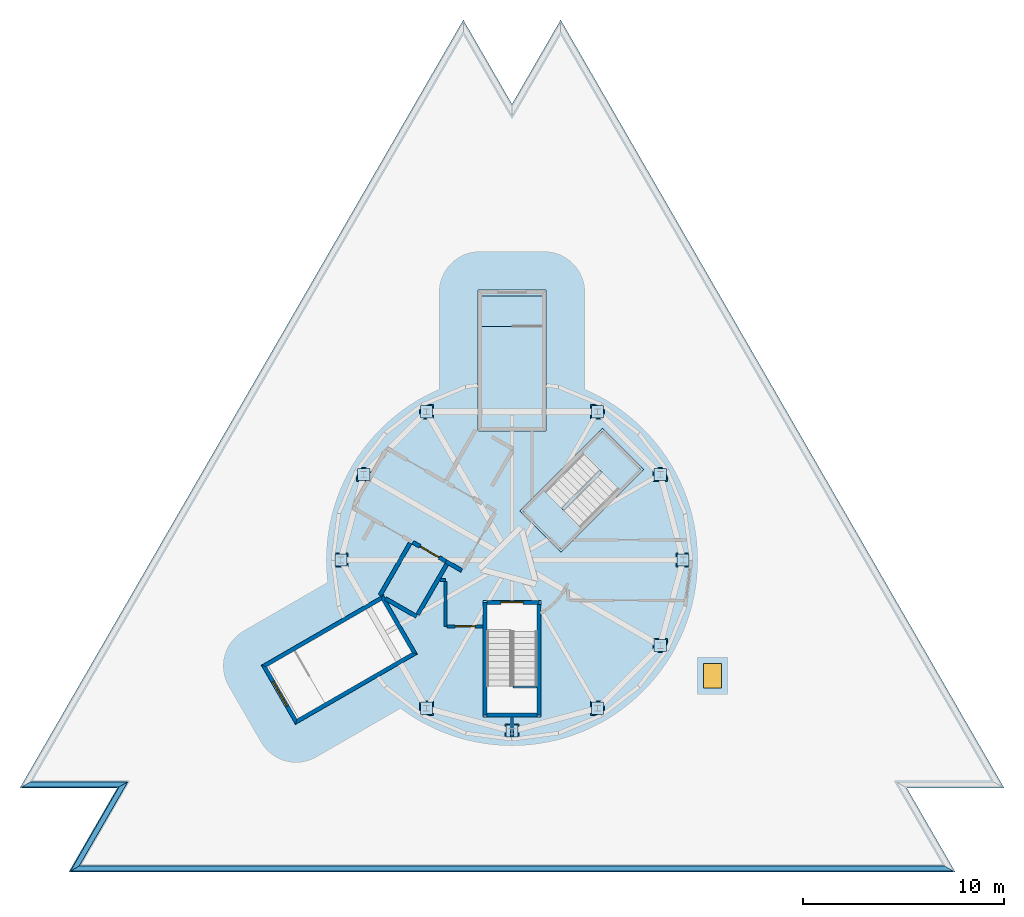
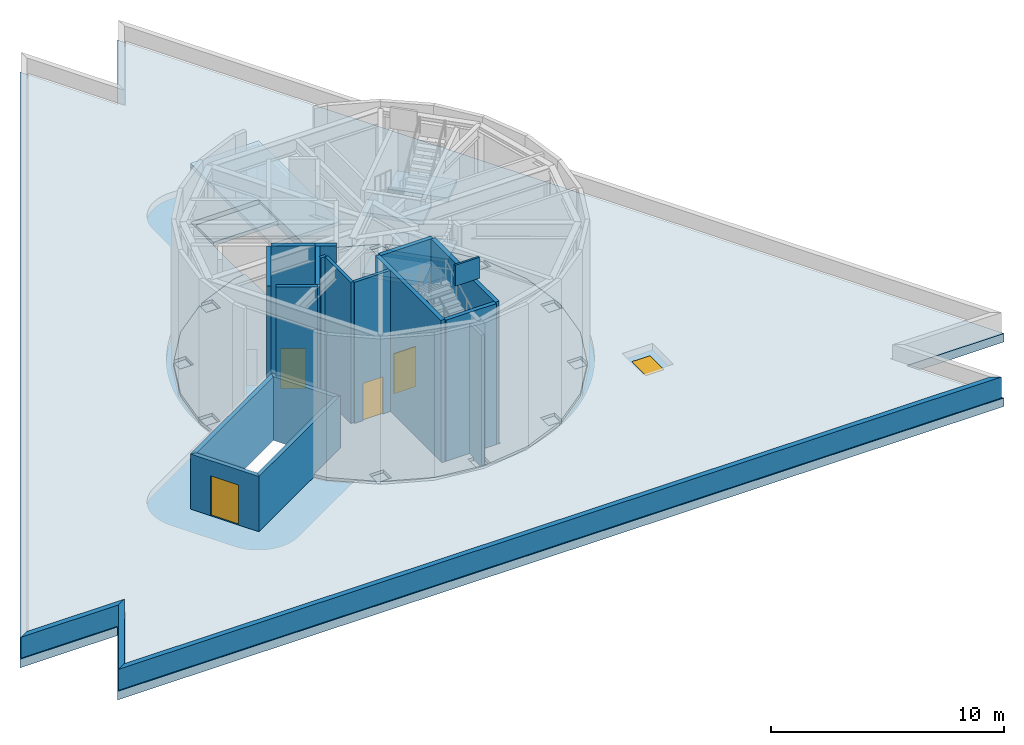
# One storey, part 2 of 7: 21 walls, 10 plates, 8 slabs, 4 doors, 1 window, 5 openings, 1 element without a shape of its own.
"""IFC4 building model written with IfcOpenShell, lengths in metres."""

from ifc_helpers import new_model, si_unit, direction, frame, frame_2d, origin, origin_2d, place, context, subcontext, project, spatial, polyline, rectangle, outline, extrude, material, layer, layer_set, layer_usage, type_object, element, fill, aggregate, save


model = new_model("IFC4")

# Units and contexts
model_context = context("Model", 3, precision=1e-05, world=origin(), true_north=direction((0.0, 1.0)))
body_context = subcontext(model_context, "Body", "Model", "MODEL_VIEW")
ifc_project = project(units=[si_unit("LENGTHUNIT", "METRE"), si_unit("AREAUNIT", "SQUARE_METRE"), si_unit("VOLUMEUNIT", "CUBIC_METRE"), si_unit("PLANEANGLEUNIT", "RADIAN"), si_unit("MASSUNIT", "GRAM", prefix="KILO")], contexts=[model_context])

# Site, building, storey
site_placement = place(None, origin())
site = spatial("IfcSite", under=ifc_project, at=site_placement, CompositionType="ELEMENT")
building_placement = place(site_placement, origin())
building = spatial("IfcBuilding", under=site, at=building_placement, Name="Triada Interchange Tower", CompositionType="ELEMENT")
storey_placement = place(building_placement, frame((0.0, 0.0, 327.800048828125)))
storey = spatial("IfcBuildingStorey", under=building, at=storey_placement, Name="Roof", CompositionType="ELEMENT", Elevation=327.800048828125)

# Plates
ifc_material_1 = material(Name="Steel S355", Category="steel")
ifc_layer_1 = layer(ifc_material_1, 0.0400390625)
ifc_layer_set_1 = layer_set([ifc_layer_1], Name="Crown column base plate 40")
plate_type = type_object("IfcPlateType", Name="Crown column base plate 40", PredefinedType="SHEET", material=ifc_layer_set_1)
for number, where, z_axis, x_axis, name in (
    (1, (8.5, 0.0, 0.0), (0.0, 0.0, 1.0), (1.0, 0.0, 0.0), "Crown column base plate 01"),
    (2, (7.361083984375, 4.25, 0.0), (0.0, 0.0, 1.0), (1.0, 0.0, 0.0), "Crown column base plate 02"),
    (3, (4.25, 7.361083984375, 0.0), (0.0, 0.0, 1.0), (1.0, 0.0, 0.0), "Crown column base plate 03"),
    (4, (-4.25, 7.361083984375, 0.0), (0.0, 0.0, 1.0), (1.0, 0.0, 0.0), "Crown column base plate 05"),
    (5, (-7.361083984375, 4.25, 0.0), (0.0, 0.0, 1.0), (1.0, 0.0, 0.0), "Crown column base plate 06"),
    (6, (-8.5, 0.0, 0.0), (0.0, 0.0, 1.0), (1.0, 0.0, 0.0), "Crown column base plate 07"),
    (7, (-4.25, -7.361083984375, 0.0), (0.0, 0.0, 1.0), (1.0, 0.0, 0.0), "Crown column base plate 09"),
    (8, (0.0, -8.5, 0.0), (0.0, 0.0, 1.0), (1.0, 0.0, 0.0), "Crown column base plate 10"),
    (9, (4.25, -7.361083984375, 0.0), (0.0, 0.0, 1.0), (1.0, 0.0, 0.0), "Crown column base plate 11"),
    (10, (7.361083984375, -4.25, 0.0), (0.0, 0.0, 1.0), (1.0, 0.0, 0.0), "Crown column base plate 12"),
):
    element("IfcPlate", number, at=place(storey_placement, frame(where, z_axis=z_axis, x_axis=x_axis)), inside=storey, type_object=plate_type, Name=name, PredefinedType="SHEET", context=body_context, shape_type="SweptSolid", body=[
        extrude(rectangle(XDim=0.60009765625, YDim=0.60009765625, at=origin_2d()), origin(), (0.0, 0.0, 1.0), 0.0400390625),
    ])

# Slabs
ifc_material_2 = material(Name="Concrete C50/60", Category="concrete")
ifc_layer_2 = layer(ifc_material_2, 0.199951171875)
ifc_layer_set_2 = layer_set([ifc_layer_2], Name="Head-house roof slab 200")
slab_type_1 = type_object("IfcSlabType", Name="Head-house roof slab 200", PredefinedType="ROOF", material=ifc_layer_set_2)
slab_1_placement = place(storey_placement, frame((0.0, 0.0, 2.89990234375)))
element("IfcSlab", 11, at=slab_1_placement, inside=storey, type_object=slab_type_1, Name="Head-house roof slab 1", PredefinedType="ROOF", context=body_context, shape_type="SweptSolid", body=[
    extrude(outline(polyline([(1.699951171875, 6.39990234375), (-1.699951171875, 6.39990234375), (-1.699951171875, 13.39990234375), (1.699951171875, 13.39990234375), (1.699951171875, 6.39990234375)])), origin(), (0.0, 0.0, 1.0), 0.199951171875),
])
ifc_material_3 = material(Name="Screed CT-C25-F4")
ifc_layer_3 = layer(ifc_material_3, 0.050048828125, Name="Sealed screed")
ifc_material_4 = material(Name="Concrete C30/37", Category="concrete")
ifc_layer_4 = layer(ifc_material_4, 0.10009765625, Name="Reinforced concrete slab")
ifc_layer_set_3 = layer_set([ifc_layer_3, ifc_layer_4], Name="Plant drum floor")
ifc_layer_usage_1 = layer_usage(ifc_layer_set_3, "AXIS3", "POSITIVE", 0.0)
slab_type_2 = type_object("IfcSlabType", Name="Plant drum floor", PredefinedType="FLOOR", material=ifc_layer_set_3)
slab_2_placement = place(storey_placement, origin())
element("IfcSlab", 12, at=slab_2_placement, inside=storey, type_object=slab_type_2, material=ifc_layer_usage_1, Name="Plant drum floor", PredefinedType="FLOOR", context=body_context, shape_type="SweptSolid", body=[
    extrude(outline(polyline([(7.7109375, -4.44189453125), (8.596923828125, -2.302978515625), (8.89990234375, 0.0), (8.596923828125, 2.302978515625), (7.7109375, 4.44189453125), (7.7109375, 3.89990234375), (7.010986328125, 3.89990234375), (7.010986328125, 4.60009765625), (7.593017578125, 4.60009765625), (6.29296875, 6.29296875), (4.60009765625, 7.593017578125), (4.60009765625, 7.010986328125), (3.89990234375, 7.010986328125), (3.89990234375, 7.7109375), (4.44189453125, 7.7109375), (2.302978515625, 8.596923828125), (1.699951171875, 8.676025390625), (1.699951171875, 6.5), (1.699951171875, 6.489990234375), (1.697998046875, 6.47998046875), (1.696044921875, 6.470947265625), (1.69189453125, 6.4619140625), (1.68798828125, 6.452880859375), (1.68310546875, 6.444091796875), (1.677001953125, 6.43701171875), (1.6708984375, 6.428955078125), (1.6630859375, 6.423095703125), (1.656005859375, 6.4169921875), (1.64697265625, 6.412109375), (1.637939453125, 6.407958984375), (1.62890625, 6.404052734375), (1.6201171875, 6.402099609375), (1.610107421875, 6.39990234375), (1.60009765625, 6.39990234375), (-1.60009765625, 6.39990234375), (-1.610107421875, 6.39990234375), (-1.6201171875, 6.402099609375), (-1.62890625, 6.404052734375), (-1.637939453125, 6.407958984375), (-1.64697265625, 6.412109375), (-1.656005859375, 6.4169921875), (-1.6630859375, 6.423095703125), (-1.6708984375, 6.428955078125), (-1.677001953125, 6.43701171875), (-1.68310546875, 6.444091796875), (-1.68798828125, 6.452880859375), (-1.69189453125, 6.4619140625), (-1.696044921875, 6.470947265625), (-1.697998046875, 6.47998046875), (-1.699951171875, 6.489990234375), (-1.699951171875, 6.5), (-1.699951171875, 8.676025390625), (-2.302978515625, 8.596923828125), (-4.44189453125, 7.7109375), (-3.89990234375, 7.7109375), (-3.89990234375, 7.010986328125), (-4.60009765625, 7.010986328125), (-4.60009765625, 7.593017578125), (-6.29296875, 6.29296875), (-7.593017578125, 4.60009765625), (-7.010986328125, 4.60009765625), (-7.010986328125, 3.89990234375), (-7.7109375, 3.89990234375), (-7.7109375, 4.44189453125), (-8.596923828125, 2.302978515625), (-8.89990234375, 0.0), (-8.596923828125, -2.302978515625), (-8.364013671875, -2.865966796875), (-6.47900390625, -1.778076171875), (-6.469970703125, -1.77294921875), (-6.4609375, -1.77001953125), (-6.451904296875, -1.76708984375), (-6.44189453125, -1.764892578125), (-6.431884765625, -1.763916015625), (-6.423095703125, -1.764892578125), (-6.4130859375, -1.76611328125), (-6.403076171875, -1.76806640625), (-6.39404296875, -1.77099609375), (-6.385009765625, -1.77490234375), (-6.3759765625, -1.779052734375), (-6.367919921875, -1.784912109375), (-6.361083984375, -1.791015625), (-6.35400390625, -1.798095703125), (-6.347900390625, -1.805908203125), (-6.343017578125, -1.81396484375), (-4.742919921875, -4.5859375), (-4.738037109375, -4.593994140625), (-4.73388671875, -4.60302734375), (-4.73193359375, -4.613037109375), (-4.72998046875, -4.623046875), (-4.72900390625, -4.632080078125), (-4.72900390625, -4.64208984375), (-4.73095703125, -4.652099609375), (-4.73291015625, -4.662109375), (-4.736083984375, -4.6708984375), (-4.739013671875, -4.679931640625), (-4.743896484375, -4.68798828125), (-4.75, -4.697021484375), (-4.756103515625, -4.7041015625), (-4.762939453125, -4.7109375), (-4.77099609375, -4.717041015625), (-4.779052734375, -4.721923828125), (-6.6640625, -5.81005859375), (-6.29296875, -6.29296875), (-4.60009765625, -7.593017578125), (-4.60009765625, -7.010986328125), (-3.89990234375, -7.010986328125), (-3.89990234375, -7.7109375), (-4.44189453125, -7.7109375), (-2.302978515625, -8.596923828125), (0.0, -8.89990234375), (2.302978515625, -8.596923828125), (4.44189453125, -7.7109375), (3.89990234375, -7.7109375), (3.89990234375, -7.010986328125), (4.60009765625, -7.010986328125), (4.60009765625, -7.593017578125), (6.29296875, -6.29296875), (7.593017578125, -4.60009765625), (7.010986328125, -4.60009765625), (7.010986328125, -3.89990234375), (7.7109375, -3.89990234375), (7.7109375, -4.44189453125)]), holes=[polyline([(8.14990234375, -0.35009765625), (8.14990234375, 0.35009765625), (8.85009765625, 0.35009765625), (8.85009765625, -0.35009765625), (8.14990234375, -0.35009765625)]), polyline([(-8.85009765625, 0.35009765625), (-8.14990234375, 0.35009765625), (-8.14990234375, -0.35009765625), (-8.85009765625, -0.35009765625), (-8.85009765625, 0.35009765625)]), polyline([(0.35009765625, -8.85009765625), (-0.35009765625, -8.85009765625), (-0.35009765625, -8.14990234375), (0.35009765625, -8.14990234375), (0.35009765625, -8.85009765625)]), polyline([(6.541015625, 4.489990234375), (2.43994140625, 0.388916015625), (0.388916015625, 2.43994140625), (4.489990234375, 6.541015625), (6.541015625, 4.489990234375)]), polyline([(-1.449951171875, -2.0), (1.449951171875, -2.0), (1.449951171875, -7.800048828125), (-1.449951171875, -7.800048828125), (-1.449951171875, -2.0)])]), origin(), (0.0, 0.0, 1.0), 0.14990234375),
])

# Slab, opening, window
ifc_layer_5 = layer(ifc_material_2, 0.449951171875)
ifc_layer_set_4 = layer_set([ifc_layer_5], Name="Roof slab 450")
slab_type_3 = type_object("IfcSlabType", Name="Roof slab 450", PredefinedType="ROOF", material=ifc_layer_set_4)
slab_3_placement = place(storey_placement, frame((0.0, 0.0, -0.449951171875)))
slab_3 = element("IfcSlab", 13, at=slab_3_placement, inside=storey, type_object=slab_type_3, Name="Roof slab", PredefinedType="ROOF", context=body_context, shape_type="SweptSolid", body=[
    extrude(outline(polyline([(-2.416015625, 26.81494140625), (-24.430908203125, -11.31494140625), (-19.597900390625, -11.31494140625), (-22.013916015625, -15.5), (22.013916015625, -15.5), (19.597900390625, -11.31494140625), (24.430908203125, -11.31494140625), (2.416015625, 26.81494140625), (0.0, 22.6298828125), (-2.416015625, 26.81494140625)]), holes=[polyline([(1.699951171875, 6.39990234375), (-1.699951171875, 6.39990234375), (-1.699951171875, 13.39990234375), (1.699951171875, 13.39990234375), (1.699951171875, 6.39990234375)]), polyline([(-4.693115234375, -4.672119140625), (-10.7548828125, -8.172119140625), (-12.455078125, -5.22802734375), (-6.39306640625, -1.72802734375), (-4.693115234375, -4.672119140625)])]), origin(), (0.0, 0.0, 1.0), 0.449951171875),
])
opening_1_placement = place(slab_3_placement, frame((9.958984375, -5.75, -0.010009765625)))
opening_1 = element("IfcOpeningElement", 14, at=opening_1_placement, cuts=slab_3, Name="Opening RH1", PredefinedType="OPENING", context=body_context, shape_type="SweptSolid", body=[
    extrude(rectangle(XDim=0.89990234375, YDim=1.199951171875, at=origin_2d()), origin(), (0.0, 0.0, 1.0), 0.469970703125),
])
ifc_material_5 = material(Name="Aluminium and glass", Category="aluminium")
window_type = type_object("IfcWindowType", Name="Roof access hatch", PartitioningType="SINGLE_PANEL", PredefinedType="SKYLIGHT", material=ifc_material_5)
window_placement = place(opening_1_placement, frame((0.0, 0.0, 0.409912109375)))
window = element("IfcWindow", 15, at=window_placement, inside=storey, type_object=window_type, Name="Roof access hatch", OverallHeight=1.199951171875, OverallWidth=0.89990234375, PartitioningType="SINGLE_PANEL", PredefinedType="SKYLIGHT", context=body_context, shape_type="SweptSolid", body=[
    extrude(rectangle(XDim=0.89990234375, YDim=1.199951171875, at=origin_2d()), origin(), (0.0, 0.0, 1.0), 0.050048828125),
])
fill(opening_1, window)

# Slab
ifc_material_6 = material(Name="Concrete C35/45", Category="concrete")
ifc_layer_6 = layer(ifc_material_6, 0.199951171875)
ifc_layer_set_5 = layer_set([ifc_layer_6], Name="STAIR LANDING 200")
slab_type_4 = type_object("IfcSlabType", Name="STAIR LANDING 200", PredefinedType="LANDING", material=ifc_layer_set_5)
slab_4_placement = place(storey_placement, frame((0.0, 0.0, -0.199951171875)))
element("IfcSlab", 16, at=slab_4_placement, inside=storey, type_object=slab_type_4, Name="Head-house landing 1", PredefinedType="LANDING", context=body_context, shape_type="SweptSolid", body=[
    extrude(outline(polyline([(1.60009765625, 11.60009765625), (1.60009765625, 13.10009765625), (-1.60009765625, 13.10009765625), (-1.60009765625, 11.60009765625), (1.60009765625, 11.60009765625)])), origin(), (0.0, 0.0, 1.0), 0.199951171875),
])

# Stair, slabs
stair_type = type_object("IfcStairType", Name="HALF TURN STAIR 1200", PredefinedType="HALF_TURN_STAIR", material=ifc_material_6)
stair_placement = place(storey_placement, origin())
stair = element("IfcStair", 17, at=stair_placement, inside=storey, type_object=stair_type, Name="Roof access stair RS1", PredefinedType="HALF_TURN_STAIR")
slab_5_placement = place(storey_placement, frame((0.0, 0.0, 1.39990234375)))
slab_5 = element("IfcSlab", 18, at=slab_5_placement, type_object=slab_type_4, Name="Roof access stair RS1 landing 1", PredefinedType="LANDING", context=body_context, shape_type="SweptSolid", body=[
    extrude(outline(polyline([(5.3740234375, 3.465087890625), (6.39892578125, 4.489990234375), (4.489990234375, 6.39892578125), (3.465087890625, 5.3740234375), (5.3740234375, 3.465087890625)])), origin(), (0.0, 0.0, 1.0), 0.199951171875),
])
slab_6_placement = place(storey_placement, frame((0.0, 0.0, 3.0)))
slab_6 = element("IfcSlab", 19, at=slab_6_placement, type_object=slab_type_4, Name="Roof access stair RS1 landing 2", PredefinedType="LANDING", context=body_context, shape_type="SweptSolid", body=[
    extrude(outline(polyline([(2.43994140625, 0.530029296875), (3.465087890625, 1.555908203125), (1.555908203125, 3.465087890625), (0.530029296875, 2.43994140625), (2.43994140625, 0.530029296875)])), origin(), (0.0, 0.0, 1.0), 0.199951171875),
])
slab_7_placement = place(storey_placement, frame((0.0, 0.0, 4.599853515625)))
slab_7 = element("IfcSlab", 20, at=slab_7_placement, type_object=slab_type_4, Name="Roof access stair RS1 landing 3", PredefinedType="LANDING", context=body_context, shape_type="SweptSolid", body=[
    extrude(outline(polyline([(5.3740234375, 3.465087890625), (6.39892578125, 4.489990234375), (4.489990234375, 6.39892578125), (3.465087890625, 5.3740234375), (5.3740234375, 3.465087890625)])), origin(), (0.0, 0.0, 1.0), 0.2001953125),
])
slab_8_placement = place(storey_placement, frame((0.0, 0.0, 6.199951171875)))
slab_8 = element("IfcSlab", 21, at=slab_8_placement, type_object=slab_type_4, Name="Roof access stair RS1 landing 4", PredefinedType="LANDING", context=body_context, shape_type="SweptSolid", body=[
    extrude(outline(polyline([(2.43994140625, 0.530029296875), (3.465087890625, 1.555908203125), (1.555908203125, 3.465087890625), (0.530029296875, 2.43994140625), (2.43994140625, 0.530029296875)])), origin(), (0.0, 0.0, 1.0), 0.199951171875),
])
aggregate(stair, [slab_5, slab_6, slab_7, slab_8])

# Walls
ifc_layer_7 = layer(ifc_material_4, 0.199951171875)
ifc_layer_set_6 = layer_set([ifc_layer_7], Name="CORE WALL 200 EI 180")
wall_type_1 = type_object("IfcWallType", Name="CORE WALL 200 EI 180", PredefinedType="SOLIDWALL", material=ifc_layer_set_6)
wall_1_placement = place(storey_placement, frame((-3.287109375, -0.06591796875, 0.0), z_axis=(0.0, 0.0, 1.0), x_axis=(0.866594452117, -0.499013081552, 0.0)))
element("IfcWall", 22, at=wall_1_placement, inside=storey, type_object=wall_type_1, Name="Wall RF 18", PredefinedType="SOLIDWALL", context=body_context, shape_type="SweptSolid", body=[
    extrude(rectangle(XDim=0.913818359375, YDim=0.199951171875, at=frame_2d((0.45703125, 0.0))), origin(), (0.0, 0.0, 1.0), 7.550048828125),
])
wall_2_placement = place(storey_placement, frame((-6.556884765625, -1.757080078125, 0.0), z_axis=(0.0, 0.0, 1.0), x_axis=(0.499990139034, 0.866031096941, 0.0)))
element("IfcWall", 23, at=wall_2_placement, inside=storey, type_object=wall_type_1, Name="Shaft wall FF1 RF 23", PredefinedType="SOLIDWALL", context=body_context, shape_type="SweptSolid", body=[
    extrude(rectangle(XDim=3.0, YDim=0.199951171875, at=frame_2d((1.5, 0.0))), origin(), (0.0, 0.0, 1.0), 7.550048828125),
])
wall_3_placement = place(storey_placement, frame((-6.284912109375, -1.9140625, 0.0), z_axis=(0.0, 0.0, 1.0), x_axis=(0.866089990957, -0.499888115046, 0.0)))
element("IfcWall", 24, at=wall_3_placement, inside=storey, type_object=wall_type_1, Name="Shaft wall FF1 RF 24", PredefinedType="SOLIDWALL", context=body_context, shape_type="SweptSolid", body=[
    extrude(rectangle(XDim=1.7861328125, YDim=0.199951171875, at=frame_2d((0.89306640625, 0.0))), origin(), (0.0, 0.0, 1.0), 7.550048828125),
])
wall_4_placement = place(storey_placement, frame((-4.68798828125, -2.719970703125, 0.0), z_axis=(0.0, 0.0, 1.0), x_axis=(0.500060147554, 0.865990674793, 0.0)))
element("IfcWall", 25, at=wall_4_placement, inside=storey, type_object=wall_type_1, Name="Shaft wall FF1 RF 25", PredefinedType="SOLIDWALL", context=body_context, shape_type="SweptSolid", body=[
    extrude(rectangle(XDim=2.899658203125, YDim=0.199951171875, at=frame_2d((1.44970703125, 0.0))), origin(), (0.0, 0.0, 1.0), 7.550048828125),
])

# Wall, opening, door
wall_5_placement = place(storey_placement, frame((-4.922119140625, 0.87890625, 0.0), z_axis=(0.0, 0.0, 1.0), x_axis=(0.866080975745, -0.499903734186, 0.0)))
wall_5 = element("IfcWall", 26, at=wall_5_placement, inside=storey, type_object=wall_type_1, Name="Shaft wall FF1 RF 26", PredefinedType="SOLIDWALL", context=body_context, shape_type="SweptSolid", body=[
    extrude(rectangle(XDim=1.904296875, YDim=0.199951171875, at=frame_2d((0.9521484375, 0.0))), origin(), (0.0, 0.0, 1.0), 7.550048828125),
])
opening_2_placement = place(wall_5_placement, frame((0.402099609375, 0.0, 0.0)))
opening_2 = element("IfcOpeningElement", 27, at=opening_2_placement, cuts=wall_5, Name="Opening LD-FF1", PredefinedType="OPENING", context=body_context, shape_type="SweptSolid", body=[
    extrude(rectangle(XDim=1.10009765625, YDim=2.10009765625, at=frame_2d((0.550048828125, 1.050048828125))), frame((0.0, 0.10986328125, 0.0), z_axis=(0.0, -1.0, 0.0), x_axis=(1.0, 0.0, 0.0)), (0.0, 0.0, 1.0), 0.219970703125),
])
ifc_material_7 = material(Name="Steel S235 door leaf", Category="steel")
door_type_1 = type_object("IfcDoorType", Name="LIFT LANDING DOOR 1100 EI 120", OperationType="SLIDING_TO_LEFT", PredefinedType="DOOR", material=ifc_material_7)
door_1_placement = place(opening_2_placement, origin())
door_1 = element("IfcDoor", 28, at=door_1_placement, inside=storey, type_object=door_type_1, Name="FF1 landing door Roof", OperationType="SLIDING_TO_LEFT", OverallHeight=2.10009765625, OverallWidth=1.10009765625, PredefinedType="DOOR", context=body_context, shape_type="SweptSolid", body=[
    extrude(rectangle(XDim=1.10009765625, YDim=2.10009765625, at=frame_2d((0.550048828125, 1.050048828125))), frame((0.0, 0.02490234375, 0.0), z_axis=(0.0, -1.0, 0.0), x_axis=(1.0, 0.0, 0.0)), (0.0, 0.0, 1.0), 0.050048828125),
])
fill(opening_2, door_1)

# Wall
ifc_layer_8 = layer(ifc_material_4, 0.199951171875)
ifc_layer_set_7 = layer_set([ifc_layer_8], Name="CORE WALL 200 REI 240")
wall_type_2 = type_object("IfcWallType", Name="CORE WALL 200 REI 240", PredefinedType="SOLIDWALL", material=ifc_layer_set_7)
wall_6_placement = place(storey_placement, frame((-1.35009765625, -7.699951171875, 0.0), z_axis=(0.0, 0.0, 1.0), x_axis=(0.0, 1.0, 0.0)))
element("IfcWall", 29, at=wall_6_placement, inside=storey, type_object=wall_type_2, Name="Wall RF 31", PredefinedType="SOLIDWALL", context=body_context, shape_type="SweptSolid", body=[
    extrude(rectangle(XDim=5.599853515625, YDim=0.199951171875, at=frame_2d((2.7998046875, 0.0))), origin(), (0.0, 0.0, 1.0), 7.550048828125),
])

# Wall, opening, door
wall_7_placement = place(storey_placement, frame((-1.25, -2.10009765625, 0.0), z_axis=(0.0, 0.0, 1.0), x_axis=(1.0, 0.0, 0.0)))
wall_7 = element("IfcWall", 30, at=wall_7_placement, inside=storey, type_object=wall_type_2, Name="Wall RF 32", PredefinedType="SOLIDWALL", context=body_context, shape_type="SweptSolid", body=[
    extrude(rectangle(XDim=2.60009765625, YDim=0.199951171875, at=frame_2d((1.300048828125, 0.0))), origin(), (0.0, 0.0, 1.0), 7.550048828125),
])
opening_3_placement = place(wall_7_placement, frame((0.699951171875, 0.0, 0.0)))
opening_3 = element("IfcOpeningElement", 31, at=opening_3_placement, cuts=wall_7, Name="Opening DF-06", PredefinedType="OPENING", context=body_context, shape_type="SweptSolid", body=[
    extrude(rectangle(XDim=1.10009765625, YDim=2.10009765625, at=frame_2d((0.550048828125, 1.050048828125))), frame((0.0, 0.10986328125, 0.0), z_axis=(0.0, -1.0, 0.0), x_axis=(1.0, 0.0, 0.0)), (0.0, 0.0, 1.0), 0.219970703125),
])
door_type_2 = type_object("IfcDoorType", Name="STAIR DOOR 1100 EI2 90-C5S200", OperationType="DOUBLE_DOOR_SINGLE_SWING", PredefinedType="DOOR", material=ifc_material_7)
door_2_placement = place(opening_3_placement, origin())
door_2 = element("IfcDoor", 32, at=door_2_placement, inside=storey, type_object=door_type_2, Name="Door DF-06 Roof", OperationType="DOUBLE_DOOR_SINGLE_SWING", OverallHeight=2.10009765625, OverallWidth=1.10009765625, PredefinedType="DOOR", context=body_context, shape_type="SweptSolid", body=[
    extrude(rectangle(XDim=1.10009765625, YDim=2.10009765625, at=frame_2d((0.550048828125, 1.050048828125))), frame((0.0, 0.02490234375, 0.0), z_axis=(0.0, -1.0, 0.0), x_axis=(1.0, 0.0, 0.0)), (0.0, 0.0, 1.0), 0.050048828125),
])
fill(opening_3, door_2)

# Walls
wall_8_placement = place(storey_placement, frame((1.35009765625, -7.699951171875, 0.0), z_axis=(0.0, 0.0, 1.0), x_axis=(0.0, 1.0, 0.0)))
element("IfcWall", 33, at=wall_8_placement, inside=storey, type_object=wall_type_2, Name="Wall RF 33", PredefinedType="SOLIDWALL", context=body_context, shape_type="SweptSolid", body=[
    extrude(rectangle(XDim=5.5, YDim=0.199951171875, at=frame_2d((2.75, 0.0))), origin(), (0.0, 0.0, 1.0), 7.550048828125),
])
wall_9_placement = place(storey_placement, frame((-1.25, -7.699951171875, 0.0), z_axis=(0.0, 0.0, 1.0), x_axis=(1.0, 0.0, 0.0)))
element("IfcWall", 34, at=wall_9_placement, inside=storey, type_object=wall_type_2, Name="Wall RF 34", PredefinedType="SOLIDWALL", context=body_context, shape_type="SweptSolid", body=[
    extrude(rectangle(XDim=2.5, YDim=0.199951171875, at=frame_2d((1.25, 0.0))), origin(), (0.0, 0.0, 1.0), 7.550048828125),
])
wall_10_placement = place(storey_placement, frame((-4.8291015625, -4.635986328125, -0.449951171875), z_axis=(0.0, 0.0, 1.0), x_axis=(-0.866029536736, -0.499992841449, 0.0)))
element("IfcWall", 35, at=wall_10_placement, inside=storey, type_object=wall_type_2, Name="Head-house wall 2 1", PredefinedType="SOLIDWALL", context=body_context, shape_type="SweptSolid", body=[
    extrude(outline(polyline([(-0.10009765625, 0.10009765625), (1.64990234375, 0.10009765625), (3.39990234375, 0.10009765625), (5.14990234375, 0.10009765625), (6.89990234375, 0.10009765625), (6.699951171875, -0.10009765625), (5.050048828125, -0.10009765625), (3.39990234375, -0.10009765625), (1.75, -0.10009765625), (0.10009765625, -0.10009765625), (-0.10009765625, 0.10009765625)])), origin(), (0.0, 0.0, 1.0), 3.349853515625),
])

# Wall, opening, door
wall_11_placement = place(storey_placement, frame((-10.718017578125, -8.035888671875, -0.449951171875), z_axis=(0.0, 0.0, 1.0), x_axis=(-0.499929347863, 0.866066190972, 0.0)))
wall_11 = element("IfcWall", 36, at=wall_11_placement, inside=storey, type_object=wall_type_2, Name="Head-house wall 2 2", PredefinedType="SOLIDWALL", context=body_context, shape_type="SweptSolid", body=[
    extrude(outline(polyline([(-0.10009765625, 0.10009765625), (1.60009765625, 0.10009765625), (3.300048828125, 0.10009765625), (3.10009765625, -0.10009765625), (1.60009765625, -0.10009765625), (0.10009765625, -0.10009765625), (-0.10009765625, 0.10009765625)])), origin(), (0.0, 0.0, 1.0), 3.349853515625),
])
opening_4_placement = place(wall_11_placement, frame((0.89990234375, 0.0, 0.449951171875)))
opening_4 = element("IfcOpeningElement", 37, at=opening_4_placement, cuts=wall_11, Name="Opening DH2", PredefinedType="OPENING", context=body_context, shape_type="SweptSolid", body=[
    extrude(rectangle(XDim=1.39990234375, YDim=2.10009765625, at=frame_2d((0.699951171875, 1.050048828125))), frame((0.0, 0.110107421875, 0.0), z_axis=(0.0, -1.0, 0.0), x_axis=(1.0, 0.0, 0.0)), (0.0, 0.0, 1.0), 0.22021484375),
])
door_type_3 = type_object("IfcDoorType", Name="STAIR DOOR 1400 EI2 90-C5S200", OperationType="DOUBLE_DOOR_SINGLE_SWING", PredefinedType="DOOR", material=ifc_material_7)
door_3_placement = place(opening_4_placement, origin())
door_3 = element("IfcDoor", 38, at=door_3_placement, inside=storey, type_object=door_type_3, Name="Door DH2 Roof", OperationType="DOUBLE_DOOR_SINGLE_SWING", OverallHeight=2.10009765625, OverallWidth=1.39990234375, PredefinedType="DOOR", context=body_context, shape_type="SweptSolid", body=[
    extrude(rectangle(XDim=1.39990234375, YDim=2.10009765625, at=frame_2d((0.699951171875, 1.050048828125))), frame((0.0, 0.02490234375, 0.0), z_axis=(0.0, -1.0, 0.0), x_axis=(1.0, 0.0, 0.0)), (0.0, 0.0, 1.0), 0.050048828125),
])
fill(opening_4, door_3)

# Walls
wall_12_placement = place(storey_placement, frame((-12.318115234375, -5.263916015625, -0.449951171875), z_axis=(0.0, 0.0, 1.0), x_axis=(0.866038511948, 0.499977295307, 0.0)))
element("IfcWall", 39, at=wall_12_placement, inside=storey, type_object=wall_type_2, Name="Head-house wall 2 3", PredefinedType="SOLIDWALL", context=body_context, shape_type="SweptSolid", body=[
    extrude(outline(polyline([(-0.10009765625, 0.10009765625), (1.658447265625, 0.10009765625), (3.4169921875, 0.10009765625), (5.175537109375, 0.10009765625), (6.93408203125, 0.10009765625), (6.73388671875, -0.10009765625), (5.075439453125, -0.10009765625), (3.4169921875, -0.10009765625), (1.758544921875, -0.10009765625), (0.10009765625, -0.10009765625), (-0.10009765625, 0.10009765625)])), origin(), (0.0, 0.0, 1.0), 3.349853515625),
])
wall_13_placement = place(storey_placement, frame((-6.428955078125, -1.864013671875, -0.449951171875), z_axis=(0.0, 0.0, 1.0), x_axis=(0.499872130319, -0.866099216793, 0.0)))
element("IfcWall", 40, at=wall_13_placement, inside=storey, type_object=wall_type_2, Name="Head-house wall 2 4", PredefinedType="SOLIDWALL", context=body_context, shape_type="SweptSolid", body=[
    extrude(outline(polyline([(-0.135009765625, 0.10009765625), (1.58251953125, 0.10009765625), (3.300048828125, 0.10009765625), (3.10009765625, -0.10009765625), (1.58251953125, -0.10009765625), (0.06494140625, -0.10009765625), (-0.135009765625, 0.10009765625)])), origin(), (0.0, 0.0, 1.0), 3.349853515625),
])
ifc_material_8 = material(Name="Gypsum board partition")
ifc_layer_9 = layer(ifc_material_8, 0.10009765625)
ifc_layer_set_8 = layer_set([ifc_layer_9], Name="PARTITION 100 EI 90")
wall_type_3 = type_object("IfcWallType", Name="PARTITION 100 EI 90", PredefinedType="PARTITIONING", material=ifc_layer_set_8)
wall_14_placement = place(storey_placement, frame((0.050048828125, -6.300048828125, 8.0), z_axis=(0.0, 0.0, 1.0), x_axis=(1.0, 0.0, 0.0)))
element("IfcWall", 41, at=wall_14_placement, inside=storey, type_object=wall_type_3, Name="Stair guard wall RS2", PredefinedType="PARTITIONING", context=body_context, shape_type="SweptSolid", body=[
    extrude(rectangle(XDim=1.199951171875, YDim=0.10009765625, at=frame_2d((0.60009765625, 0.0))), origin(), (0.0, 0.0, 1.0), 1.099853515625),
])
ifc_layer_10 = layer(ifc_material_8, 0.14990234375)
ifc_layer_set_9 = layer_set([ifc_layer_10], Name="PARTITION 150 EI 180")
wall_type_4 = type_object("IfcWallType", Name="PARTITION 150 EI 180", PredefinedType="PARTITIONING", material=ifc_layer_set_9)
wall_15_placement = place(storey_placement, frame((-3.580078125, -1.0, 0.0), z_axis=(0.0, 0.0, 1.0), x_axis=(1.0, 0.0, 0.0)))
element("IfcWall", 42, at=wall_15_placement, inside=storey, type_object=wall_type_4, Name="Wall RF 1", PredefinedType="PARTITIONING", context=body_context, shape_type="SweptSolid", body=[
    extrude(rectangle(XDim=0.280029296875, YDim=0.14990234375, at=frame_2d((0.14013671875, 0.0))), origin(), (0.0, 0.0, 1.0), 7.550048828125),
])
wall_16_placement = place(storey_placement, frame((-3.300048828125, -3.300048828125, 0.0), z_axis=(0.0, 0.0, 1.0), x_axis=(0.0, 1.0, 0.0)))
element("IfcWall", 43, at=wall_16_placement, inside=storey, type_object=wall_type_4, Name="Wall RF 2", PredefinedType="PARTITIONING", context=body_context, shape_type="SweptSolid", body=[
    extrude(rectangle(XDim=2.22509765625, YDim=0.14990234375, at=frame_2d((1.112548828125, 0.0))), origin(), (0.0, 0.0, 1.0), 7.550048828125),
])

# Wall, opening, door
wall_17_placement = place(storey_placement, frame((-3.22509765625, -3.300048828125, 0.0), z_axis=(0.0, 0.0, 1.0), x_axis=(1.0, 0.0, 0.0)))
wall_17 = element("IfcWall", 44, at=wall_17_placement, inside=storey, type_object=wall_type_4, Name="Wall RF 3", PredefinedType="PARTITIONING", context=body_context, shape_type="SweptSolid", body=[
    extrude(rectangle(XDim=1.775146484375, YDim=0.14990234375, at=frame_2d((0.8876953125, 0.0))), origin(), (0.0, 0.0, 1.0), 7.550048828125),
])
opening_5_placement = place(wall_17_placement, frame((0.39990234375, 0.0, 0.0)))
opening_5 = element("IfcOpeningElement", 45, at=opening_5_placement, cuts=wall_17, Name="Opening DF-03", PredefinedType="OPENING", context=body_context, shape_type="SweptSolid", body=[
    extrude(rectangle(XDim=1.0, YDim=2.10009765625, at=frame_2d((0.5, 1.050048828125))), frame((0.0, 0.0849609375, 0.0), z_axis=(0.0, -1.0, 0.0), x_axis=(1.0, 0.0, 0.0)), (0.0, 0.0, 1.0), 0.169921875),
])
door_type_4 = type_object("IfcDoorType", Name="ROOM DOOR 1000 EI2 45-C5S200", OperationType="NOTDEFINED", PredefinedType="DOOR", material=ifc_material_7)
door_4_placement = place(opening_5_placement, origin())
door_4 = element("IfcDoor", 46, at=door_4_placement, inside=storey, type_object=door_type_4, Name="Door DF-03 Roof", OperationType="SINGLE_SWING_RIGHT", OverallHeight=2.10009765625, OverallWidth=1.0, PredefinedType="DOOR", context=body_context, shape_type="SweptSolid", body=[
    extrude(rectangle(XDim=1.0, YDim=2.10009765625, at=frame_2d((0.5, 1.050048828125))), frame((0.0, 0.02490234375, 0.0), z_axis=(0.0, -1.0, 0.0), x_axis=(1.0, 0.0, 0.0)), (0.0, 0.0, 1.0), 0.050048828125),
])
fill(opening_5, door_4)

# Walls
wall_18_placement = place(storey_placement, frame((0.0, -8.800048828125, 0.0), z_axis=(0.0, 0.0, 1.0), x_axis=(0.0, 1.0, 0.0)))
element("IfcWall", 47, at=wall_18_placement, inside=storey, type_object=wall_type_4, Name="Wall RF 4", PredefinedType="PARTITIONING", context=body_context, shape_type="SweptSolid", body=[
    extrude(rectangle(XDim=1.0, YDim=0.14990234375, at=frame_2d((0.5, 0.0))), origin(), (0.0, 0.0, 1.0), 6.949951171875),
])
ifc_material_9 = material(Name="Mineral wool")
ifc_layer_11 = layer(ifc_material_9, 0.050048828125, Name="Mineral wool insulation")
ifc_material_10 = material(Name="Concrete C40/50", Category="concrete")
ifc_layer_12 = layer(ifc_material_10, 0.199951171875, Name="Reinforced concrete parapet")
ifc_layer_set_10 = layer_set([ifc_layer_11, ifc_layer_12], Name="Roof parapet 250")
ifc_layer_usage_2 = layer_usage(ifc_layer_set_10, "AXIS2", "POSITIVE", -0.125)
wall_type_5 = type_object("IfcWallType", Name="Roof parapet 250", PredefinedType="PARAPET", material=ifc_layer_set_10)
wall_19_placement = place(storey_placement, frame((-24.1279296875, -11.139892578125, 0.0), z_axis=(0.0, 0.0, 1.0), x_axis=(1.0, 0.0, 0.0)))
element("IfcWall", 48, at=wall_19_placement, inside=storey, type_object=wall_type_5, material=ifc_layer_usage_2, Name="Roof parapet 02", PredefinedType="PARAPET", context=body_context, shape_type="SweptSolid", body=[
    extrude(outline(polyline([(-0.216064453125, -0.125), (1.39501953125, -0.125), (3.005859375, -0.125), (4.616943359375, -0.125), (5.050048828125, 0.125), (3.43896484375, 0.125), (1.828125, 0.125), (0.217041015625, 0.125), (-0.216064453125, -0.125)])), origin(), (0.0, 0.0, 1.0), 1.099853515625),
])
wall_20_placement = place(storey_placement, frame((-19.294921875, -11.139892578125, 0.0), z_axis=(0.0, 0.0, 1.0), x_axis=(-0.499964445527, -0.866045930196, 0.0)))
element("IfcWall", 49, at=wall_20_placement, inside=storey, type_object=wall_type_5, material=ifc_layer_usage_2, Name="Roof parapet 03", PredefinedType="PARAPET", context=body_context, shape_type="SweptSolid", body=[
    extrude(outline(polyline([(0.21630859375, -0.12451171875), (1.8271484375, -0.12451171875), (3.437744140625, -0.12451171875), (5.048583984375, -0.12451171875), (4.615478515625, 0.12548828125), (3.004638671875, 0.12548828125), (1.39404296875, 0.12548828125), (-0.216796875, 0.12548828125), (0.21630859375, -0.12451171875)])), origin(), (0.0, 0.0, 1.0), 1.099853515625),
])
wall_21_placement = place(storey_placement, frame((-21.7109375, -15.324951171875, 0.0), z_axis=(0.0, 0.0, 1.0), x_axis=(1.0, 0.0, 0.0)))
element("IfcWall", 50, at=wall_21_placement, inside=storey, type_object=wall_type_5, material=ifc_layer_usage_2, Name="Roof parapet 04", PredefinedType="PARAPET", context=body_context, shape_type="SweptSolid", body=[
    extrude(outline(polyline([(-0.216064453125, -0.125), (1.77734375, -0.125), (3.770751953125, -0.125), (5.763916015625, -0.125), (7.75732421875, -0.125), (9.750732421875, -0.125), (11.744140625, -0.125), (13.737548828125, -0.125), (15.73095703125, -0.125), (17.72412109375, -0.125), (19.717529296875, -0.125), (21.7109375, -0.125), (23.704345703125, -0.125), (25.69775390625, -0.125), (27.69091796875, -0.125), (29.684326171875, -0.125), (31.677734375, -0.125), (33.671142578125, -0.125), (35.66455078125, -0.125), (37.657958984375, -0.125), (39.651123046875, -0.125), (41.64453125, -0.125), (43.637939453125, -0.125), (43.205078125, 0.125), (41.2509765625, 0.125), (39.297119140625, 0.125), (37.343017578125, 0.125), (35.38916015625, 0.125), (33.43505859375, 0.125), (31.48095703125, 0.125), (29.527099609375, 0.125), (27.572998046875, 0.125), (25.619140625, 0.125), (23.6650390625, 0.125), (21.7109375, 0.125), (19.757080078125, 0.125), (17.802978515625, 0.125), (15.84912109375, 0.125), (13.89501953125, 0.125), (11.941162109375, 0.125), (9.987060546875, 0.125), (8.032958984375, 0.125), (6.0791015625, 0.125), (4.125, 0.125), (2.171142578125, 0.125), (0.217041015625, 0.125), (-0.216064453125, -0.125)])), origin(), (0.0, 0.0, 1.0), 1.099853515625),
])

save(model, "model.ifc")
